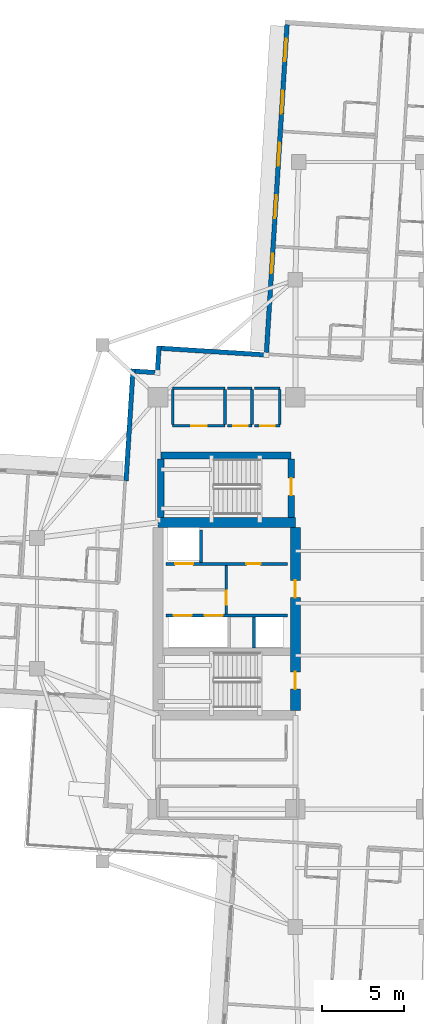
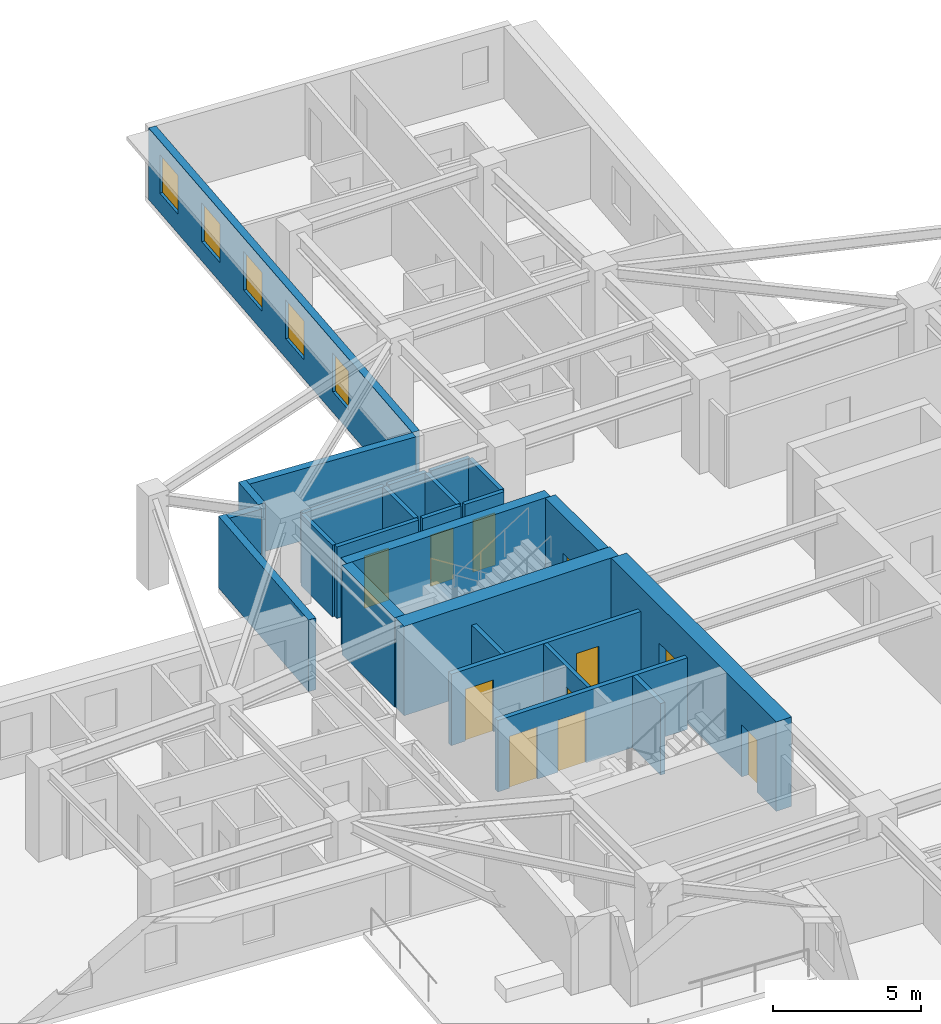
# One storey, part 6 of 14: 25 walls, 11 doors, 5 windows, 16 openings.
"""IFC4 building model written with IfcOpenShell, lengths in metres."""

from ifc_helpers import new_model, si_unit, direction, frame, frame_2d, origin, place, context, subcontext, project, spatial, rectangle, extrude, material, layer, layer_set, type_object, element, fill, save


model = new_model("IFC4")

# Units and contexts
model_context = context("Model", 3, precision=1e-05, world=origin(), true_north=direction((0.0, 1.0)))
body_context = subcontext(model_context, "Body", "Model", "MODEL_VIEW")
ifc_project = project(units=[si_unit("LENGTHUNIT", "METRE"), si_unit("AREAUNIT", "SQUARE_METRE"), si_unit("VOLUMEUNIT", "CUBIC_METRE"), si_unit("PLANEANGLEUNIT", "RADIAN"), si_unit("MASSUNIT", "GRAM", prefix="KILO")], contexts=[model_context])

# Site, building, storey
site_placement = place(None, origin())
site = spatial("IfcSite", under=ifc_project, at=site_placement, CompositionType="ELEMENT")
building_placement = place(site_placement, origin())
building = spatial("IfcBuilding", under=site, at=building_placement, Name="Qingluan Cross Belvedere", CompositionType="ELEMENT")
storey_placement = place(building_placement, frame((0.0, 0.0, 160.5)))
storey = spatial("IfcBuildingStorey", under=building, at=storey_placement, Name="L40", CompositionType="ELEMENT", Elevation=160.5)

# Walls
ifc_material_1 = material(Name="Concrete C50", Category="concrete")
ifc_layer_1 = layer(ifc_material_1, 0.449951171875, Name="CoreShearWall_450")
ifc_layer_set_1 = layer_set([ifc_layer_1], Name="Concrete C50")
wall_type_1 = type_object("IfcWallType", Name="CoreShearWall_450", PredefinedType="SHEAR", material=ifc_layer_set_1)
wall_1_placement = place(storey_placement, frame((-12.219970703125, 9.0400390625, 0.0), z_axis=(0.0, 0.0, 1.0), x_axis=(1.0, 0.0, 0.0)))
element("IfcWall", 1, at=wall_1_placement, inside=storey, type_object=wall_type_1, Name="Stair ST3 structural wall N L40", PredefinedType="SHEAR", context=body_context, shape_type="SweptSolid", body=[
    extrude(rectangle(XDim=7.9599609375, YDim=0.39990234375, at=frame_2d((3.97998046875, 0.0))), origin(), (0.0, 0.0, 1.0), 3.699951171875),
])
wall_2_placement = place(storey_placement, frame((-12.219970703125, 5.2548828125, 0.0), z_axis=(0.0, 0.0, 1.0), x_axis=(0.0, 1.0, 0.0)))
element("IfcWall", 2, at=wall_2_placement, inside=storey, type_object=wall_type_1, Name="Stair ST3 structural wall W L40", PredefinedType="SHEAR", context=body_context, shape_type="SweptSolid", body=[
    extrude(rectangle(XDim=3.580078125, YDim=0.39990234375, at=frame_2d((1.7900390625, 0.0))), origin(), (0.0, 0.0, 1.0), 3.699951171875),
])

# Wall, opening, door
wall_3_placement = place(storey_placement, frame((-4.260009765625, 5.2548828125, 0.0), z_axis=(0.0, 0.0, 1.0), x_axis=(0.0, 1.0, 0.0)))
wall_3 = element("IfcWall", 3, at=wall_3_placement, inside=storey, type_object=wall_type_1, Name="Stair ST3 structural wall E L40", PredefinedType="SHEAR", context=body_context, shape_type="SweptSolid", body=[
    extrude(rectangle(XDim=3.580078125, YDim=0.39990234375, at=frame_2d((1.7900390625, 0.0))), origin(), (0.0, 0.0, 1.0), 3.699951171875),
])
opening_1_placement = place(wall_3_placement, frame((1.344970703125, 0.0, 0.0)))
opening_1 = element("IfcOpeningElement", 4, at=opening_1_placement, cuts=wall_3, Name="Opening FD-B11", PredefinedType="OPENING", context=body_context, shape_type="SweptSolid", body=[
    extrude(rectangle(XDim=1.050048828125, YDim=2.14990234375, at=frame_2d((0.52490234375, 1.074951171875))), frame((0.0, 0.2099609375, 0.0), z_axis=(0.0, -1.0, 0.0), x_axis=(1.0, 0.0, 0.0)), (0.0, 0.0, 1.0), 0.419921875),
])
ifc_material_2 = material(Name="Steel Class B smoke-seal fire door", Category="steel")
door_type_1 = type_object("IfcDoorType", Name="StairLobbyFireDoor_FDB", OperationType="NOTDEFINED", PredefinedType="DOOR", material=ifc_material_2)
door_1_placement = place(opening_1_placement, origin())
door_1 = element("IfcDoor", 5, at=door_1_placement, inside=storey, type_object=door_type_1, Name="Smoke-proof stair ST3 fire door L40", OperationType="SINGLE_SWING_RIGHT", OverallHeight=2.14990234375, OverallWidth=1.050048828125, PredefinedType="DOOR", context=body_context, shape_type="SweptSolid", body=[
    extrude(rectangle(XDim=1.050048828125, YDim=2.14990234375, at=frame_2d((0.52490234375, 1.074951171875))), frame((0.0, 0.02490234375, 0.0), z_axis=(0.0, -1.0, 0.0), x_axis=(1.0, 0.0, 0.0)), (0.0, 0.0, 1.0), 0.050048828125),
])
fill(opening_1, door_1)

# Wall
ifc_material_3 = material(Name="Concrete C60", Category="concrete")
ifc_layer_2 = layer(ifc_material_3, 0.60009765625, Name="CoreShearWall_600")
ifc_layer_set_2 = layer_set([ifc_layer_2], Name="Concrete C60")
wall_type_2 = type_object("IfcWallType", Name="CoreShearWall_600", PredefinedType="SHEAR", material=ifc_layer_set_2)
wall_4_placement = place(storey_placement, frame((-12.39990234375, 4.949951171875, 0.0), z_axis=(0.0, 0.0, 1.0), x_axis=(1.0, 0.0, 0.0)))
element("IfcWall", 6, at=wall_4_placement, inside=storey, type_object=wall_type_2, Name="Split core W shear wall L40-N", PredefinedType="SHEAR", context=body_context, shape_type="SweptSolid", body=[
    extrude(rectangle(XDim=8.39990234375, YDim=0.60009765625, at=frame_2d((4.199951171875, 0.0))), origin(), (0.0, 0.0, 1.0), 3.699951171875),
])

# Wall, openings, doors
wall_5_placement = place(storey_placement, frame((-4.0, -6.544921875, 0.0), z_axis=(0.0, 0.0, 1.0), x_axis=(0.0, 1.0, 0.0)))
wall_5 = element("IfcWall", 7, at=wall_5_placement, inside=storey, type_object=wall_type_2, Name="Split core W shear wall L40-E", PredefinedType="SHEAR", context=body_context, shape_type="SweptSolid", body=[
    extrude(rectangle(XDim=11.18994140625, YDim=0.60009765625, at=frame_2d((5.594970703125, 0.0))), origin(), (0.0, 0.0, 1.0), 3.699951171875),
])
opening_2_placement = place(wall_5_placement, frame((1.294921875, 0.0, 0.0)))
opening_2 = element("IfcOpeningElement", 8, at=opening_2_placement, cuts=wall_5, Name="Opening FD-B11", PredefinedType="OPENING", context=body_context, shape_type="SweptSolid", body=[
    extrude(rectangle(XDim=1.050048828125, YDim=2.14990234375, at=frame_2d((0.52490234375, 1.074951171875))), frame((0.0, 0.31005859375, 0.0), z_axis=(0.0, -1.0, 0.0), x_axis=(1.0, 0.0, 0.0)), (0.0, 0.0, 1.0), 0.6201171875),
])
opening_3_placement = place(wall_5_placement, frame((6.89501953125, 0.0, 0.0)))
opening_3 = element("IfcOpeningElement", 9, at=opening_3_placement, cuts=wall_5, Name="Opening FD-B11", PredefinedType="OPENING", context=body_context, shape_type="SweptSolid", body=[
    extrude(rectangle(XDim=1.050048828125, YDim=2.14990234375, at=frame_2d((0.52490234375, 1.074951171875))), frame((0.0, 0.31005859375, 0.0), z_axis=(0.0, -1.0, 0.0), x_axis=(1.0, 0.0, 0.0)), (0.0, 0.0, 1.0), 0.6201171875),
])
door_2_placement = place(opening_2_placement, origin())
door_2 = element("IfcDoor", 10, at=door_2_placement, inside=storey, type_object=door_type_1, Name="Smoke-proof stair ST1 fire door L40", OperationType="SINGLE_SWING_RIGHT", OverallHeight=2.14990234375, OverallWidth=1.050048828125, PredefinedType="DOOR", context=body_context, shape_type="SweptSolid", body=[
    extrude(rectangle(XDim=1.050048828125, YDim=2.14990234375, at=frame_2d((0.52490234375, 1.074951171875))), frame((0.0, 0.02490234375, 0.0), z_axis=(0.0, -1.0, 0.0), x_axis=(1.0, 0.0, 0.0)), (0.0, 0.0, 1.0), 0.050048828125),
])
fill(opening_2, door_2)
door_3_placement = place(opening_3_placement, origin())
door_3 = element("IfcDoor", 11, at=door_3_placement, inside=storey, type_object=door_type_1, Name="Firefighting lobby West fire door L40", OperationType="SINGLE_SWING_RIGHT", OverallHeight=2.14990234375, OverallWidth=1.050048828125, PredefinedType="DOOR", context=body_context, shape_type="SweptSolid", body=[
    extrude(rectangle(XDim=1.050048828125, YDim=2.14990234375, at=frame_2d((0.52490234375, 1.074951171875))), frame((0.0, 0.02490234375, 0.0), z_axis=(0.0, -1.0, 0.0), x_axis=(1.0, 0.0, 0.0)), (0.0, 0.0, 1.0), 0.050048828125),
])
fill(opening_3, door_3)

# Wall, opening, door
ifc_material_4 = material(Name="Gypsum plasterboard on steel stud acoustic partition", Category="steel")
ifc_layer_3 = layer(ifc_material_4, 0.159912109375, Name="CorridorPartition_160")
ifc_layer_set_3 = layer_set([ifc_layer_3], Name="Gypsum plasterboard on steel stud acoustic partition")
wall_type_3 = type_object("IfcWallType", Name="CorridorPartition_160", PredefinedType="PARTITIONING", material=ifc_layer_set_3)
wall_6_placement = place(storey_placement, frame((-11.5, 10.85009765625, 0.0), z_axis=(0.0, 0.0, 1.0), x_axis=(1.0, 0.0, 0.0)))
wall_6 = element("IfcWall", 12, at=wall_6_placement, inside=storey, type_object=wall_type_3, Name="Partition L40:q_nw_occ:S", PredefinedType="PARTITIONING", context=body_context, shape_type="SweptSolid", body=[
    extrude(rectangle(XDim=3.199951171875, YDim=0.159912109375, at=frame_2d((1.60009765625, 0.0))), origin(), (0.0, 0.0, 1.0), 2.9599609375),
])
opening_4_placement = place(wall_6_placement, frame((1.1201171875, 0.0, 0.0)))
opening_4 = element("IfcOpeningElement", 13, at=opening_4_placement, cuts=wall_6, Name="Opening GD-10", PredefinedType="OPENING", context=body_context, shape_type="SweptSolid", body=[
    extrude(rectangle(XDim=0.9599609375, YDim=2.14990234375, at=frame_2d((0.47998046875, 1.074951171875))), frame((0.0, 0.08984375, 0.0), z_axis=(0.0, -1.0, 0.0), x_axis=(1.0, 0.0, 0.0)), (0.0, 0.0, 1.0), 0.179931640625),
])
ifc_material_5 = material(Name="Timber oak fire-rated acoustic guestroom door", Category="wood")
door_type_2 = type_object("IfcDoorType", Name="GuestEntryDoor_FD60", OperationType="NOTDEFINED", PredefinedType="DOOR", material=ifc_material_5)
door_4_placement = place(opening_4_placement, origin())
door_4 = element("IfcDoor", 14, at=door_4_placement, inside=storey, type_object=door_type_2, Name="Northwest corner reading salon L40 door", OperationType="SINGLE_SWING_RIGHT", OverallHeight=2.14990234375, OverallWidth=0.9599609375, PredefinedType="DOOR", context=body_context, shape_type="SweptSolid", body=[
    extrude(rectangle(XDim=0.9599609375, YDim=2.14990234375, at=frame_2d((0.47998046875, 1.074951171875))), frame((0.0, 0.02490234375, 0.0), z_axis=(0.0, -1.0, 0.0), x_axis=(1.0, 0.0, 0.0)), (0.0, 0.0, 1.0), 0.050048828125),
])
fill(opening_4, door_4)

# Walls
wall_7_placement = place(storey_placement, frame((-11.5, 13.14990234375, 0.0), z_axis=(0.0, 0.0, 1.0), x_axis=(1.0, 0.0, 0.0)))
element("IfcWall", 15, at=wall_7_placement, inside=storey, type_object=wall_type_3, Name="Partition L40:q_nw_occ:N", PredefinedType="PARTITIONING", context=body_context, shape_type="SweptSolid", body=[
    extrude(rectangle(XDim=3.199951171875, YDim=0.159912109375, at=frame_2d((1.60009765625, 0.0))), origin(), (0.0, 0.0, 1.0), 2.9599609375),
])
for number, where, z_axis, x_axis, name in (
    (16, (-11.5, 10.93505859375, 0.0), (0.0, 0.0, 1.0), (0.0, 1.0, 0.0), "Partition L40:q_nw_occ:W"),
    (17, (-8.300048828125, 10.93505859375, 0.0), (0.0, 0.0, 1.0), (0.0, 1.0, 0.0), "Partition L40:q_nw_occ:E"),
):
    element("IfcWall", number, at=place(storey_placement, frame(where, z_axis=z_axis, x_axis=x_axis)), inside=storey, type_object=wall_type_3, Name=name, PredefinedType="PARTITIONING", context=body_context, shape_type="SweptSolid", body=[
        extrude(rectangle(XDim=2.1298828125, YDim=0.159912109375, at=frame_2d((1.06494140625, 0.0))), origin(), (0.0, 0.0, 1.0), 2.9599609375),
    ])

# Wall, opening, door
wall_8_placement = place(storey_placement, frame((-8.139892578125, 10.85009765625, 0.0), z_axis=(0.0, 0.0, 1.0), x_axis=(1.0, 0.0, 0.0)))
wall_8 = element("IfcWall", 18, at=wall_8_placement, inside=storey, type_object=wall_type_3, Name="Partition L40:hk_linen:S", PredefinedType="PARTITIONING", context=body_context, shape_type="SweptSolid", body=[
    extrude(rectangle(XDim=1.489990234375, YDim=0.159912109375, at=frame_2d((0.7451171875, 0.0))), origin(), (0.0, 0.0, 1.0), 2.9599609375),
])
opening_5_placement = place(wall_8_placement, frame((0.35009765625, 0.0, 0.0)))
opening_5 = element("IfcOpeningElement", 19, at=opening_5_placement, cuts=wall_8, Name="Opening FD-B10", PredefinedType="OPENING", context=body_context, shape_type="SweptSolid", body=[
    extrude(rectangle(XDim=0.8798828125, YDim=2.10009765625, at=frame_2d((0.43994140625, 1.050048828125))), frame((0.0, 0.08984375, 0.0), z_axis=(0.0, -1.0, 0.0), x_axis=(1.0, 0.0, 0.0)), (0.0, 0.0, 1.0), 0.179931640625),
])
ifc_material_6 = material(Name="Steel Class B service fire door", Category="steel")
door_type_3 = type_object("IfcDoorType", Name="RiserServiceFireDoor_FDB", OperationType="NOTDEFINED", PredefinedType="DOOR", material=ifc_material_6)
door_5_placement = place(opening_5_placement, origin())
door_5 = element("IfcDoor", 20, at=door_5_placement, inside=storey, type_object=door_type_3, Name="Housekeeping and linen store L40 door", OperationType="SINGLE_SWING_LEFT", OverallHeight=2.10009765625, OverallWidth=0.8798828125, PredefinedType="DOOR", context=body_context, shape_type="SweptSolid", body=[
    extrude(rectangle(XDim=0.8798828125, YDim=2.10009765625, at=frame_2d((0.43994140625, 1.050048828125))), frame((0.0, 0.02490234375, 0.0), z_axis=(0.0, -1.0, 0.0), x_axis=(1.0, 0.0, 0.0)), (0.0, 0.0, 1.0), 0.050048828125),
])
fill(opening_5, door_5)

# Walls
wall_9_placement = place(storey_placement, frame((-8.139892578125, 13.14990234375, 0.0), z_axis=(0.0, 0.0, 1.0), x_axis=(1.0, 0.0, 0.0)))
element("IfcWall", 21, at=wall_9_placement, inside=storey, type_object=wall_type_3, Name="Partition L40:hk_linen:N", PredefinedType="PARTITIONING", context=body_context, shape_type="SweptSolid", body=[
    extrude(rectangle(XDim=1.489990234375, YDim=0.159912109375, at=frame_2d((0.7451171875, 0.0))), origin(), (0.0, 0.0, 1.0), 2.9599609375),
])
wall_10_placement = place(storey_placement, frame((-6.64990234375, 10.93505859375, 0.0), z_axis=(0.0, 0.0, 1.0), x_axis=(0.0, 1.0, 0.0)))
element("IfcWall", 22, at=wall_10_placement, inside=storey, type_object=wall_type_3, Name="Partition L40:hk_linen:E", PredefinedType="PARTITIONING", context=body_context, shape_type="SweptSolid", body=[
    extrude(rectangle(XDim=2.1298828125, YDim=0.159912109375, at=frame_2d((1.06494140625, 0.0))), origin(), (0.0, 0.0, 1.0), 2.9599609375),
])

# Wall, opening, door
wall_11_placement = place(storey_placement, frame((-6.489990234375, 10.85009765625, 0.0), z_axis=(0.0, 0.0, 1.0), x_axis=(1.0, 0.0, 0.0)))
wall_11 = element("IfcWall", 23, at=wall_11_placement, inside=storey, type_object=wall_type_3, Name="Partition L40:floor_acc_wc:S", PredefinedType="PARTITIONING", context=body_context, shape_type="SweptSolid", body=[
    extrude(rectangle(XDim=1.5400390625, YDim=0.159912109375, at=frame_2d((0.77001953125, 0.0))), origin(), (0.0, 0.0, 1.0), 2.9599609375),
])
opening_6_placement = place(wall_11_placement, frame((0.35009765625, 0.0, 0.0)))
opening_6 = element("IfcOpeningElement", 24, at=opening_6_placement, cuts=wall_11, Name="Opening BD-08", PredefinedType="OPENING", context=body_context, shape_type="SweptSolid", body=[
    extrude(rectangle(XDim=0.8798828125, YDim=2.14990234375, at=frame_2d((0.43994140625, 1.074951171875))), frame((0.0, 0.08984375, 0.0), z_axis=(0.0, -1.0, 0.0), x_axis=(1.0, 0.0, 0.0)), (0.0, 0.0, 1.0), 0.179931640625),
])
ifc_material_7 = material(Name="Moisture-sealed timber accessible WC door", Category="wood")
door_type_4 = type_object("IfcDoorType", Name="AccessibleWCDoor_880", OperationType="NOTDEFINED", PredefinedType="DOOR", material=ifc_material_7)
door_6_placement = place(opening_6_placement, origin())
door_6 = element("IfcDoor", 25, at=door_6_placement, inside=storey, type_object=door_type_4, Name="Accessible guest washroom L40 door", OperationType="SINGLE_SWING_RIGHT", OverallHeight=2.14990234375, OverallWidth=0.8798828125, PredefinedType="DOOR", context=body_context, shape_type="SweptSolid", body=[
    extrude(rectangle(XDim=0.8798828125, YDim=2.14990234375, at=frame_2d((0.43994140625, 1.074951171875))), frame((0.0, 0.02490234375, 0.0), z_axis=(0.0, -1.0, 0.0), x_axis=(1.0, 0.0, 0.0)), (0.0, 0.0, 1.0), 0.050048828125),
])
fill(opening_6, door_6)

# Walls
wall_12_placement = place(storey_placement, frame((-6.489990234375, 13.14990234375, 0.0), z_axis=(0.0, 0.0, 1.0), x_axis=(1.0, 0.0, 0.0)))
element("IfcWall", 26, at=wall_12_placement, inside=storey, type_object=wall_type_3, Name="Partition L40:floor_acc_wc:N", PredefinedType="PARTITIONING", context=body_context, shape_type="SweptSolid", body=[
    extrude(rectangle(XDim=1.5400390625, YDim=0.159912109375, at=frame_2d((0.77001953125, 0.0))), origin(), (0.0, 0.0, 1.0), 2.9599609375),
])
wall_13_placement = place(storey_placement, frame((-4.949951171875, 10.93505859375, 0.0), z_axis=(0.0, 0.0, 1.0), x_axis=(0.0, 1.0, 0.0)))
element("IfcWall", 27, at=wall_13_placement, inside=storey, type_object=wall_type_3, Name="Partition L40:floor_acc_wc:E", PredefinedType="PARTITIONING", context=body_context, shape_type="SweptSolid", body=[
    extrude(rectangle(XDim=2.1298828125, YDim=0.159912109375, at=frame_2d((1.06494140625, 0.0))), origin(), (0.0, 0.0, 1.0), 2.9599609375),
])

# Wall, openings, windows
ifc_material_8 = material(Name="Precast concrete C45", Category="concrete")
ifc_layer_4 = layer(ifc_material_8, 0.280029296875, Name="PrecastFacadeWall_280")
ifc_layer_set_4 = layer_set([ifc_layer_4], Name="Precast concrete C45")
wall_type_4 = type_object("IfcWallType", Name="PrecastFacadeWall_280", PredefinedType="STANDARD", material=ifc_layer_set_4)
wall_14_placement = place(storey_placement, frame((-4.506591796875, 35.392822265625, 0.0), z_axis=(0.0, 0.0, 1.0), x_axis=(-0.062784355807, -0.998027116198, 0.0)))
wall_14 = element("IfcWall", 28, at=wall_14_placement, inside=storey, type_object=wall_type_4, Name="Facade wall L40-NB", PredefinedType="STANDARD", context=body_context, shape_type="SweptSolid", body=[
    extrude(rectangle(XDim=20.099853515625, YDim=0.280029296875, at=frame_2d((10.0498046875, 0.0))), origin(), (0.0, 0.0, 1.0), 2.969970703125),
])
opening_7_placement = place(wall_14_placement, frame((0.85009765625, 0.0, 0.800048828125)))
opening_7 = element("IfcOpeningElement", 29, at=opening_7_placement, cuts=wall_14, Name="Opening W-01", PredefinedType="OPENING", context=body_context, shape_type="SweptSolid", body=[
    extrude(rectangle(XDim=1.39990234375, YDim=1.60009765625, at=frame_2d((0.699951171875, 0.800048828125))), frame((0.0, 0.14990234375, 0.0), z_axis=(0.0, -1.0, 0.0), x_axis=(1.0, 0.0, 0.0)), (0.0, 0.0, 1.0), 0.300048828125),
])
opening_8_placement = place(wall_14_placement, frame((4.050048828125, 0.0, 0.800048828125)))
opening_8 = element("IfcOpeningElement", 30, at=opening_8_placement, cuts=wall_14, Name="Opening W-01", PredefinedType="OPENING", context=body_context, shape_type="SweptSolid", body=[
    extrude(rectangle(XDim=1.39990234375, YDim=1.60009765625, at=frame_2d((0.699951171875, 0.800048828125))), frame((0.0, 0.14990234375, 0.0), z_axis=(0.0, -1.0, 0.0), x_axis=(1.0, 0.0, 0.0)), (0.0, 0.0, 1.0), 0.300048828125),
])
opening_9_placement = place(wall_14_placement, frame((7.25, 0.0, 0.800048828125)))
opening_9 = element("IfcOpeningElement", 31, at=opening_9_placement, cuts=wall_14, Name="Opening W-01", PredefinedType="OPENING", context=body_context, shape_type="SweptSolid", body=[
    extrude(rectangle(XDim=1.39990234375, YDim=1.60009765625, at=frame_2d((0.699951171875, 0.800048828125))), frame((0.0, 0.14990234375, 0.0), z_axis=(0.0, -1.0, 0.0), x_axis=(1.0, 0.0, 0.0)), (0.0, 0.0, 1.0), 0.300048828125),
])
opening_10_placement = place(wall_14_placement, frame((10.449951171875, 0.0, 0.800048828125)))
opening_10 = element("IfcOpeningElement", 32, at=opening_10_placement, cuts=wall_14, Name="Opening W-01", PredefinedType="OPENING", context=body_context, shape_type="SweptSolid", body=[
    extrude(rectangle(XDim=1.39990234375, YDim=1.60009765625, at=frame_2d((0.699951171875, 0.800048828125))), frame((0.0, 0.14990234375, 0.0), z_axis=(0.0, -1.0, 0.0), x_axis=(1.0, 0.0, 0.0)), (0.0, 0.0, 1.0), 0.300048828125),
])
opening_11_placement = place(wall_14_placement, frame((14.034912109375, 0.0, 0.85009765625)))
opening_11 = element("IfcOpeningElement", 33, at=opening_11_placement, cuts=wall_14, Name="Opening W-02", PredefinedType="OPENING", context=body_context, shape_type="SweptSolid", body=[
    extrude(rectangle(XDim=1.199951171875, YDim=1.60009765625, at=frame_2d((0.60009765625, 0.800048828125))), frame((0.0, 0.14990234375, 0.0), z_axis=(0.0, -1.0, 0.0), x_axis=(1.0, 0.0, 0.0)), (0.0, 0.0, 1.0), 0.300048828125),
])
ifc_material_9 = material(Name="Thermally broken triple Low-E glass in aluminium frame", Category="aluminium")
window_type_1 = type_object("IfcWindowType", Name="TriRibbonWin_1200x1600", PartitioningType="SINGLE_PANEL", PredefinedType="WINDOW", material=ifc_material_9)
window_1_placement = place(opening_11_placement, origin())
window_1 = element("IfcWindow", 34, at=window_1_placement, inside=storey, type_object=window_type_1, Name="Deluxe guest room 4014 daylight window", OverallHeight=1.60009765625, OverallWidth=1.199951171875, PartitioningType="SINGLE_PANEL", PredefinedType="WINDOW", context=body_context, shape_type="SweptSolid", body=[
    extrude(rectangle(XDim=1.199951171875, YDim=1.60009765625, at=frame_2d((0.60009765625, 0.800048828125))), frame((0.0, 0.030029296875, 0.0), z_axis=(0.0, -1.0, 0.0), x_axis=(1.0, 0.0, 0.0)), (0.0, 0.0, 1.0), 0.06005859375),
])
fill(opening_11, window_1)
ifc_material_10 = material(Name="Thermally broken triple Low-E glass in aluminium frame", Category="aluminium")
window_type_2 = type_object("IfcWindowType", Name="TriRibbonWin_1400x1600", PartitioningType="SINGLE_PANEL", PredefinedType="WINDOW", material=ifc_material_10)
window_2_placement = place(opening_7_placement, origin())
window_2 = element("IfcWindow", 35, at=window_2_placement, inside=storey, type_object=window_type_2, Name="Ribbon window L40-NB-1", OverallHeight=1.60009765625, OverallWidth=1.39990234375, PartitioningType="SINGLE_PANEL", PredefinedType="WINDOW", context=body_context, shape_type="SweptSolid", body=[
    extrude(rectangle(XDim=1.39990234375, YDim=1.60009765625, at=frame_2d((0.699951171875, 0.800048828125))), frame((0.0, 0.030029296875, 0.0), z_axis=(0.0, -1.0, 0.0), x_axis=(1.0, 0.0, 0.0)), (0.0, 0.0, 1.0), 0.06005859375),
])
fill(opening_7, window_2)
window_3_placement = place(opening_8_placement, origin())
window_3 = element("IfcWindow", 36, at=window_3_placement, inside=storey, type_object=window_type_2, Name="Ribbon window L40-NB-2", OverallHeight=1.60009765625, OverallWidth=1.39990234375, PartitioningType="SINGLE_PANEL", PredefinedType="WINDOW", context=body_context, shape_type="SweptSolid", body=[
    extrude(rectangle(XDim=1.39990234375, YDim=1.60009765625, at=frame_2d((0.699951171875, 0.800048828125))), frame((0.0, 0.030029296875, 0.0), z_axis=(0.0, -1.0, 0.0), x_axis=(1.0, 0.0, 0.0)), (0.0, 0.0, 1.0), 0.06005859375),
])
fill(opening_8, window_3)
window_4_placement = place(opening_9_placement, origin())
window_4 = element("IfcWindow", 37, at=window_4_placement, inside=storey, type_object=window_type_2, Name="Ribbon window L40-NB-3", OverallHeight=1.60009765625, OverallWidth=1.39990234375, PartitioningType="SINGLE_PANEL", PredefinedType="WINDOW", context=body_context, shape_type="SweptSolid", body=[
    extrude(rectangle(XDim=1.39990234375, YDim=1.60009765625, at=frame_2d((0.699951171875, 0.800048828125))), frame((0.0, 0.030029296875, 0.0), z_axis=(0.0, -1.0, 0.0), x_axis=(1.0, 0.0, 0.0)), (0.0, 0.0, 1.0), 0.06005859375),
])
fill(opening_9, window_4)
window_5_placement = place(opening_10_placement, origin())
window_5 = element("IfcWindow", 38, at=window_5_placement, inside=storey, type_object=window_type_2, Name="Ribbon window L40-NB-4", OverallHeight=1.60009765625, OverallWidth=1.39990234375, PartitioningType="SINGLE_PANEL", PredefinedType="WINDOW", context=body_context, shape_type="SweptSolid", body=[
    extrude(rectangle(XDim=1.39990234375, YDim=1.60009765625, at=frame_2d((0.699951171875, 0.800048828125))), frame((0.0, 0.030029296875, 0.0), z_axis=(0.0, -1.0, 0.0), x_axis=(1.0, 0.0, 0.0)), (0.0, 0.0, 1.0), 0.06005859375),
])
fill(opening_10, window_5)

# Walls
wall_15_placement = place(storey_placement, frame((-14.357666015625, 7.496337890625, 0.0), z_axis=(0.0, 0.0, 1.0), x_axis=(0.062779317195, 0.998027433156, 0.0)))
element("IfcWall", 39, at=wall_15_placement, inside=storey, type_object=wall_type_4, Name="Corner wall L40-NW1", PredefinedType="STANDARD", context=body_context, shape_type="SweptSolid", body=[
    extrude(rectangle(XDim=6.85986328125, YDim=0.280029296875, at=frame_2d((3.429931640625, 0.0))), origin(), (0.0, 0.0, 1.0), 2.969970703125),
])
wall_16_placement = place(storey_placement, frame((-13.7958984375, 14.1943359375, 0.0), z_axis=(0.0, 0.0, 1.0), x_axis=(0.998023660242, -0.06283926796, 0.0)))
element("IfcWall", 40, at=wall_16_placement, inside=storey, type_object=wall_type_4, Name="Corner wall L40-NW2", PredefinedType="STANDARD", context=body_context, shape_type="SweptSolid", body=[
    extrude(rectangle(XDim=1.219970703125, YDim=0.280029296875, at=frame_2d((0.60986328125, 0.0))), origin(), (0.0, 0.0, 1.0), 2.969970703125),
])
wall_17_placement = place(storey_placement, frame((-12.429931640625, 14.24853515625, 0.0), z_axis=(0.0, 0.0, 1.0), x_axis=(0.062824119533, 0.998024613927, 0.0)))
element("IfcWall", 41, at=wall_17_placement, inside=storey, type_object=wall_type_4, Name="Corner wall L40-NW3", PredefinedType="STANDARD", context=body_context, shape_type="SweptSolid", body=[
    extrude(rectangle(XDim=1.5, YDim=0.280029296875, at=frame_2d((0.75, 0.0))), origin(), (0.0, 0.0, 1.0), 2.969970703125),
])
wall_18_placement = place(storey_placement, frame((-12.20458984375, 15.59716796875, 0.0), z_axis=(0.0, 0.0, 1.0), x_axis=(0.998024885752, -0.062819801181, 0.0)))
element("IfcWall", 42, at=wall_18_placement, inside=storey, type_object=wall_type_4, Name="Corner wall L40-NW4", PredefinedType="STANDARD", context=body_context, shape_type="SweptSolid", body=[
    extrude(rectangle(XDim=6.2998046875, YDim=0.280029296875, at=frame_2d((3.14990234375, 0.0))), origin(), (0.0, 0.0, 1.0), 2.969970703125),
])

# Wall, openings, doors
ifc_material_11 = material(Name="Concrete C40", Category="concrete")
ifc_layer_5 = layer(ifc_material_11, 0.219970703125, Name="ShaftEnclosureWall_250")
ifc_layer_set_5 = layer_set([ifc_layer_5], Name="Concrete C40")
wall_type_5 = type_object("IfcWallType", Name="ShaftEnclosureWall_250", PredefinedType="SOLIDWALL", material=ifc_layer_set_5)
wall_19_placement = place(storey_placement, frame((-11.89990234375, 2.409912109375, 0.0), z_axis=(0.0, 0.0, 1.0), x_axis=(1.0, 0.0, 0.0)))
wall_19 = element("IfcWall", 43, at=wall_19_placement, inside=storey, type_object=wall_type_5, Name="Core-W north hoistway wall L40", PredefinedType="SOLIDWALL", context=body_context, shape_type="SweptSolid", body=[
    extrude(rectangle(XDim=7.419921875, YDim=0.179931640625, at=frame_2d((3.7099609375, 0.0))), origin(), (0.0, 0.0, 1.0), 2.9599609375),
])
opening_12_placement = place(wall_19_placement, frame((0.550048828125, 0.0, 0.0)))
opening_12 = element("IfcOpeningElement", 44, at=opening_12_placement, cuts=wall_19, Name="Opening LD-11", PredefinedType="OPENING", context=body_context, shape_type="SweptSolid", body=[
    extrude(rectangle(XDim=1.10009765625, YDim=2.14990234375, at=frame_2d((0.550048828125, 1.074951171875))), frame((0.0, 0.099853515625, 0.0), z_axis=(0.0, -1.0, 0.0), x_axis=(1.0, 0.0, 0.0)), (0.0, 0.0, 1.0), 0.199951171875),
])
opening_13_placement = place(wall_19_placement, frame((4.89990234375, 0.0, 0.0)))
opening_13 = element("IfcOpeningElement", 45, at=opening_13_placement, cuts=wall_19, Name="Opening FD-B10", PredefinedType="OPENING", context=body_context, shape_type="SweptSolid", body=[
    extrude(rectangle(XDim=0.8798828125, YDim=2.10009765625, at=frame_2d((0.43994140625, 1.050048828125))), frame((0.0, 0.099853515625, 0.0), z_axis=(0.0, -1.0, 0.0), x_axis=(1.0, 0.0, 0.0)), (0.0, 0.0, 1.0), 0.199951171875),
])
ifc_material_12 = material(Name="Brushed stainless steel centre-opening lift landing door", Category="steel")
door_type_5 = type_object("IfcDoorType", Name="LiftLandingSlidingDoor_1100", OperationType="DOUBLE_DOOR_SLIDING", PredefinedType="DOOR", material=ifc_material_12)
door_7_placement = place(opening_12_placement, origin())
door_7 = element("IfcDoor", 46, at=door_7_placement, inside=storey, type_object=door_type_5, Name="Lift landing sliding door FL1 L40", OperationType="DOUBLE_DOOR_SLIDING", OverallHeight=2.14990234375, OverallWidth=1.10009765625, PredefinedType="DOOR", context=body_context, shape_type="SweptSolid", body=[
    extrude(rectangle(XDim=1.10009765625, YDim=2.14990234375, at=frame_2d((0.550048828125, 1.074951171875))), frame((0.0, 0.02490234375, 0.0), z_axis=(0.0, -1.0, 0.0), x_axis=(1.0, 0.0, 0.0)), (0.0, 0.0, 1.0), 0.050048828125),
])
fill(opening_12, door_7)
door_8_placement = place(opening_13_placement, origin())
door_8 = element("IfcDoor", 47, at=door_8_placement, inside=storey, type_object=door_type_3, Name="Housekeeping supply room door W L40", OperationType="SINGLE_SWING_LEFT", OverallHeight=2.10009765625, OverallWidth=0.8798828125, PredefinedType="DOOR", context=body_context, shape_type="SweptSolid", body=[
    extrude(rectangle(XDim=0.8798828125, YDim=2.10009765625, at=frame_2d((0.43994140625, 1.050048828125))), frame((0.0, 0.02490234375, 0.0), z_axis=(0.0, -1.0, 0.0), x_axis=(1.0, 0.0, 0.0)), (0.0, 0.0, 1.0), 0.050048828125),
])
fill(opening_13, door_8)

wall_20_placement = place(storey_placement, frame((-11.89990234375, -0.75, 0.0), z_axis=(0.0, 0.0, 1.0), x_axis=(1.0, 0.0, 0.0)))
wall_20 = element("IfcWall", 48, at=wall_20_placement, inside=storey, type_object=wall_type_5, Name="Core-W mid hoistway wall L40", PredefinedType="SOLIDWALL", context=body_context, shape_type="SweptSolid", body=[
    extrude(rectangle(XDim=7.419921875, YDim=0.179931640625, at=frame_2d((3.7099609375, 0.0))), origin(), (0.0, 0.0, 1.0), 2.9599609375),
])
opening_14_placement = place(wall_20_placement, frame((0.449951171875, 0.0, 0.0)))
opening_14 = element("IfcOpeningElement", 49, at=opening_14_placement, cuts=wall_20, Name="Opening LD-11", PredefinedType="OPENING", context=body_context, shape_type="SweptSolid", body=[
    extrude(rectangle(XDim=1.10009765625, YDim=2.14990234375, at=frame_2d((0.550048828125, 1.074951171875))), frame((0.0, 0.099853515625, 0.0), z_axis=(0.0, -1.0, 0.0), x_axis=(1.0, 0.0, 0.0)), (0.0, 0.0, 1.0), 0.199951171875),
])
opening_15_placement = place(wall_20_placement, frame((2.35009765625, 0.0, 0.0)))
opening_15 = element("IfcOpeningElement", 50, at=opening_15_placement, cuts=wall_20, Name="Opening LD-11", PredefinedType="OPENING", context=body_context, shape_type="SweptSolid", body=[
    extrude(rectangle(XDim=1.10009765625, YDim=2.14990234375, at=frame_2d((0.550048828125, 1.074951171875))), frame((0.0, 0.099853515625, 0.0), z_axis=(0.0, -1.0, 0.0), x_axis=(1.0, 0.0, 0.0)), (0.0, 0.0, 1.0), 0.199951171875),
])
door_9_placement = place(opening_14_placement, origin())
door_9 = element("IfcDoor", 51, at=door_9_placement, inside=storey, type_object=door_type_5, Name="Lift landing sliding door LP5 L40", OperationType="DOUBLE_DOOR_SLIDING", OverallHeight=2.14990234375, OverallWidth=1.10009765625, PredefinedType="DOOR", context=body_context, shape_type="SweptSolid", body=[
    extrude(rectangle(XDim=1.10009765625, YDim=2.14990234375, at=frame_2d((0.550048828125, 1.074951171875))), frame((0.0, 0.02490234375, 0.0), z_axis=(0.0, -1.0, 0.0), x_axis=(1.0, 0.0, 0.0)), (0.0, 0.0, 1.0), 0.050048828125),
])
fill(opening_14, door_9)
door_10_placement = place(opening_15_placement, origin())
door_10 = element("IfcDoor", 52, at=door_10_placement, inside=storey, type_object=door_type_5, Name="Lift landing sliding door LP6 L40", OperationType="DOUBLE_DOOR_SLIDING", OverallHeight=2.14990234375, OverallWidth=1.10009765625, PredefinedType="DOOR", context=body_context, shape_type="SweptSolid", body=[
    extrude(rectangle(XDim=1.10009765625, YDim=2.14990234375, at=frame_2d((0.550048828125, 1.074951171875))), frame((0.0, 0.02490234375, 0.0), z_axis=(0.0, -1.0, 0.0), x_axis=(1.0, 0.0, 0.0)), (0.0, 0.0, 1.0), 0.050048828125),
])
fill(opening_15, door_10)

# Walls
wall_21_placement = place(storey_placement, frame((-9.760009765625, 2.5, 0.0), z_axis=(0.0, 0.0, 1.0), x_axis=(0.0, 1.0, 0.0)))
element("IfcWall", 53, at=wall_21_placement, inside=storey, type_object=wall_type_5, Name="Hoistway enclosure divider FL1E L40", PredefinedType="SOLIDWALL", context=body_context, shape_type="SweptSolid", body=[
    extrude(rectangle(XDim=1.989990234375, YDim=0.179931640625, at=frame_2d((0.9951171875, 0.0))), origin(), (0.0, 0.0, 1.0), 2.9599609375),
])
wall_22_placement = place(storey_placement, frame((-6.5400390625, -2.72998046875, 0.0), z_axis=(0.0, 0.0, 1.0), x_axis=(0.0, 1.0, 0.0)))
element("IfcWall", 54, at=wall_22_placement, inside=storey, type_object=wall_type_5, Name="Hoistway enclosure divider LP8W L40", PredefinedType="SOLIDWALL", context=body_context, shape_type="SweptSolid", body=[
    extrude(rectangle(XDim=1.889892578125, YDim=0.179931640625, at=frame_2d((0.94482421875, 0.0))), origin(), (0.0, 0.0, 1.0), 2.9599609375),
])

# Wall, opening, door
wall_23_placement = place(storey_placement, frame((-8.219970703125, -0.64990234375, 0.0), z_axis=(0.0, 0.0, 1.0), x_axis=(0.0, 1.0, 0.0)))
wall_23 = element("IfcWall", 55, at=wall_23_placement, inside=storey, type_object=wall_type_5, Name="Core-W service corridor wall L40", PredefinedType="SOLIDWALL", context=body_context, shape_type="SweptSolid", body=[
    extrude(rectangle(XDim=2.9599609375, YDim=0.139892578125, at=frame_2d((1.47998046875, 0.0))), origin(), (0.0, 0.0, 1.0), 2.9599609375),
])
opening_16_placement = place(wall_23_placement, frame((0.550048828125, 0.0, 0.0)))
opening_16 = element("IfcOpeningElement", 56, at=opening_16_placement, cuts=wall_23, Name="Opening FD-B10", PredefinedType="OPENING", context=body_context, shape_type="SweptSolid", body=[
    extrude(rectangle(XDim=0.8798828125, YDim=2.10009765625, at=frame_2d((0.43994140625, 1.050048828125))), frame((0.0, 0.079833984375, 0.0), z_axis=(0.0, -1.0, 0.0), x_axis=(1.0, 0.0, 0.0)), (0.0, 0.0, 1.0), 0.159912109375),
])
door_11_placement = place(opening_16_placement, origin())
door_11 = element("IfcDoor", 57, at=door_11_placement, inside=storey, type_object=door_type_3, Name="Core-W service room door L40", OperationType="SINGLE_SWING_LEFT", OverallHeight=2.10009765625, OverallWidth=0.8798828125, PredefinedType="DOOR", context=body_context, shape_type="SweptSolid", body=[
    extrude(rectangle(XDim=0.8798828125, YDim=2.10009765625, at=frame_2d((0.43994140625, 1.050048828125))), frame((0.0, 0.02490234375, 0.0), z_axis=(0.0, -1.0, 0.0), x_axis=(1.0, 0.0, 0.0)), (0.0, 0.0, 1.0), 0.050048828125),
])
fill(opening_16, door_11)

save(model, "model.ifc")
